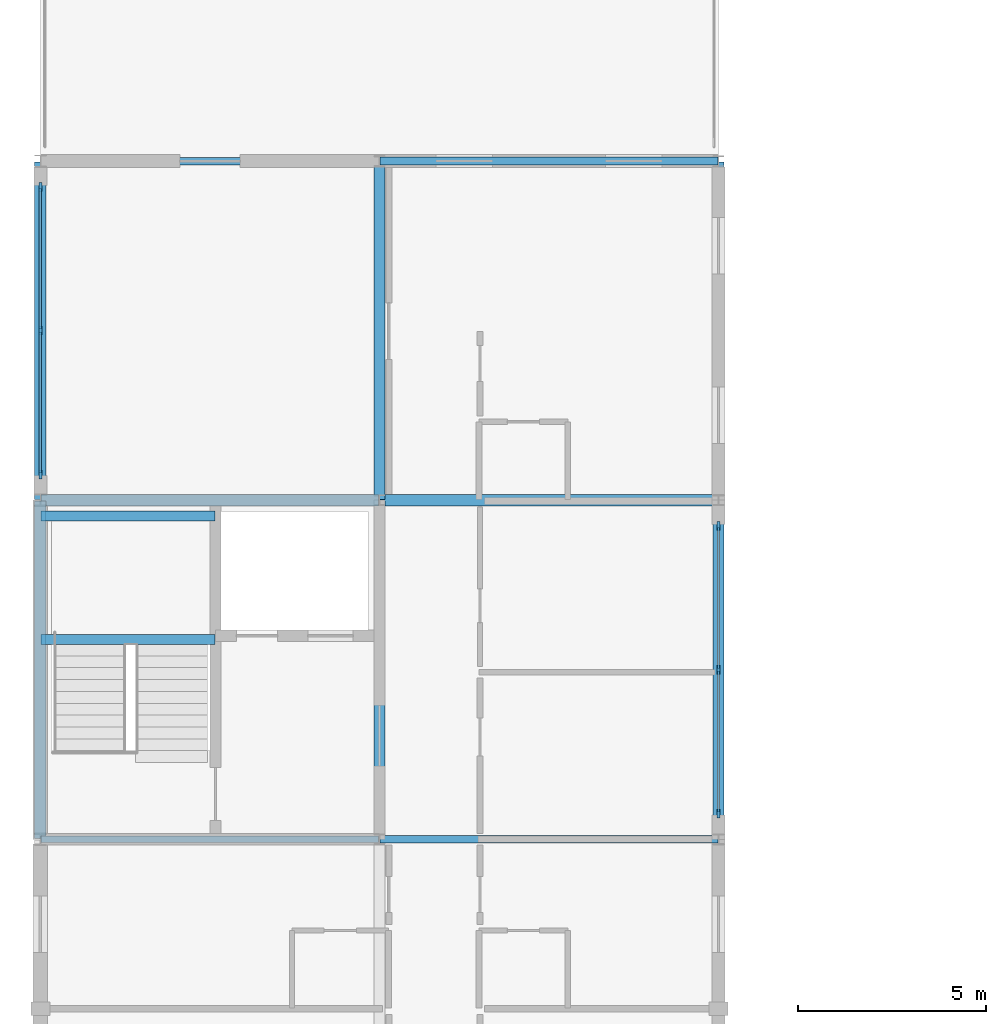
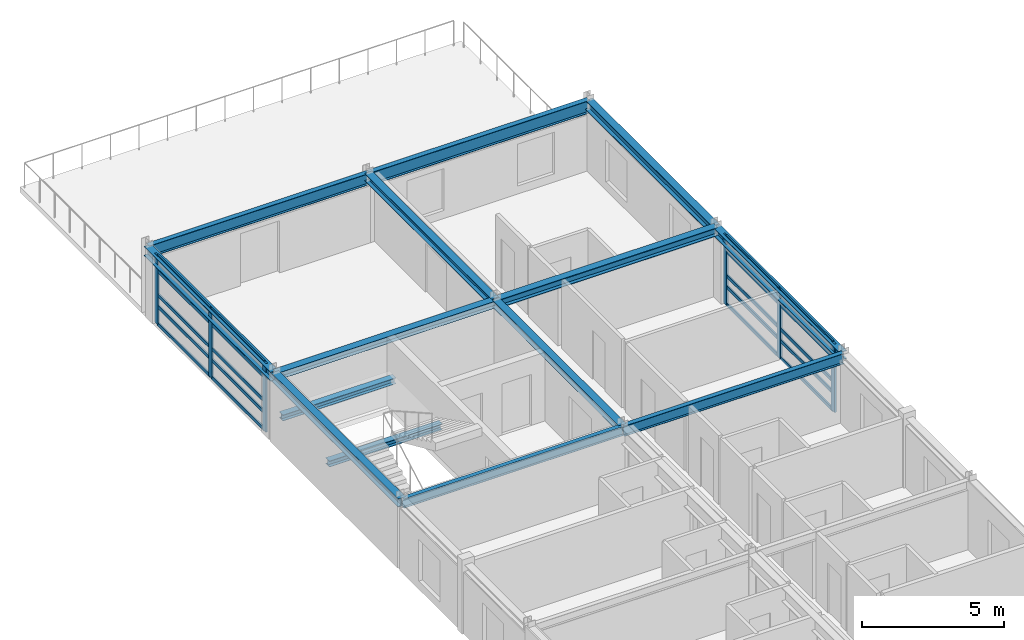
# One storey, part 7 of 18: 26 members, 14 beams, 2 elements without a shape of their own.
"""IFC4 building model written with IfcOpenShell, lengths in metres."""

from ifc_helpers import new_model, si_unit, direction, frame, origin, origin_2d, place, context, subcontext, project, spatial, rectangle, i_section, extrude, material, material_profile, profile_set, type_object, element, aggregate, save


model = new_model("IFC4")

# Units and contexts
model_context = context("Model", 3, precision=1e-05, world=origin(), true_north=direction((0.0, 1.0)))
body_context = subcontext(model_context, "Body", "Model", "MODEL_VIEW")
ifc_project = project(units=[si_unit("LENGTHUNIT", "METRE"), si_unit("AREAUNIT", "SQUARE_METRE"), si_unit("VOLUMEUNIT", "CUBIC_METRE"), si_unit("PLANEANGLEUNIT", "RADIAN"), si_unit("MASSUNIT", "GRAM", prefix="KILO")], contexts=[model_context])

# Site, building, storey
site_placement = place(None, origin())
site = spatial("IfcSite", under=ifc_project, at=site_placement, CompositionType="ELEMENT")
building_placement = place(site_placement, origin())
building = spatial("IfcBuilding", under=site, at=building_placement, Name="Palais des Congres Ocreval", CompositionType="ELEMENT")
storey_placement = place(building_placement, frame((0.0, 0.0, 23.679931640625)))
storey = spatial("IfcBuildingStorey", under=building, at=storey_placement, Name="L07", CompositionType="ELEMENT", Elevation=23.679931640625)

# Beams
ifc_material_1 = material(Name="Steel S355", Category="steel")
ifc_material_profile_1 = material_profile(ifc_material_1, i_section(OverallWidth=0.179931640625, OverallDepth=0.39990234375, WebThickness=0.008544921875, FlangeThickness=0.013427734375, at=origin_2d()), Name="IPE 400")
ifc_profile_set_1 = profile_set([ifc_material_profile_1], Name="Steel S355")
beam_type_1 = type_object("IfcBeamType", Name="Composite Beam IPE 400 Steel S355", PredefinedType="BEAM", material=ifc_profile_set_1)
beam_1_placement = place(storey_placement, frame((0.02001953125, 36.0, 2.760009765625), z_axis=(1.0, 0.0, 0.0), x_axis=(0.0, 1.0, 0.0)))
element("IfcBeam", 1, at=beam_1_placement, inside=storey, type_object=beam_type_1, Name="Beam B02 L07", PredefinedType="BEAM", context=body_context, shape_type="SweptSolid", body=[
    extrude(i_section(OverallWidth=0.179931640625, OverallDepth=0.39990234375, WebThickness=0.008544921875, FlangeThickness=0.013427734375, at=origin_2d()), origin(), (0.0, 0.0, 1.0), 8.9599609375),
])
ifc_material_profile_2 = material_profile(ifc_material_1, i_section(OverallWidth=0.18994140625, OverallDepth=0.449951171875, WebThickness=0.009521484375, FlangeThickness=0.0146484375, at=origin_2d()), Name="IPE 450")
ifc_profile_set_2 = profile_set([ifc_material_profile_2], Name="Steel S355")
beam_type_2 = type_object("IfcBeamType", Name="Composite Beam IPE 450 Steel S355", PredefinedType="BEAM", material=ifc_profile_set_2)
beam_2_placement = place(storey_placement, frame((9.02001953125, 36.0, 2.735107421875), z_axis=(1.0, 0.0, 0.0), x_axis=(0.0, 1.0, 0.0)))
element("IfcBeam", 2, at=beam_2_placement, inside=storey, type_object=beam_type_2, Name="Beam B03 L07", PredefinedType="BEAM", context=body_context, shape_type="SweptSolid", body=[
    extrude(i_section(OverallWidth=0.18994140625, OverallDepth=0.449951171875, WebThickness=0.009521484375, FlangeThickness=0.0146484375, at=origin_2d()), origin(), (0.0, 0.0, 1.0), 8.9599609375),
])
ifc_material_profile_3 = material_profile(ifc_material_1, i_section(OverallWidth=0.199951171875, OverallDepth=0.5, WebThickness=0.01025390625, FlangeThickness=0.01611328125, at=origin_2d()), Name="IPE 500")
ifc_profile_set_3 = profile_set([ifc_material_profile_3], Name="Steel S355")
beam_type_3 = type_object("IfcBeamType", Name="Composite Beam IPE 500 Steel S355", PredefinedType="BEAM", material=ifc_profile_set_3)
beam_3_placement = place(storey_placement, frame((0.02001953125, 54.0, 2.7099609375), z_axis=(1.0, 0.0, 0.0), x_axis=(0.0, 1.0, 0.0)))
element("IfcBeam", 3, at=beam_3_placement, inside=storey, type_object=beam_type_3, Name="Beam B04 L07", PredefinedType="BEAM", context=body_context, shape_type="SweptSolid", body=[
    extrude(i_section(OverallWidth=0.199951171875, OverallDepth=0.5, WebThickness=0.01025390625, FlangeThickness=0.01611328125, at=origin_2d()), origin(), (0.0, 0.0, 1.0), 8.9599609375),
])
ifc_material_profile_4 = material_profile(ifc_material_1, i_section(OverallWidth=0.2099609375, OverallDepth=0.550048828125, WebThickness=0.010986328125, FlangeThickness=0.01708984375, at=origin_2d()), Name="IPE 550")
ifc_profile_set_4 = profile_set([ifc_material_profile_4], Name="Steel S355")
beam_type_4 = type_object("IfcBeamType", Name="Composite Beam IPE 550 Steel S355", PredefinedType="BEAM", material=ifc_profile_set_4)
beam_4_placement = place(storey_placement, frame((9.02001953125, 54.0, 2.68505859375), z_axis=(1.0, 0.0, 0.0), x_axis=(0.0, 1.0, 0.0)))
element("IfcBeam", 4, at=beam_4_placement, inside=storey, type_object=beam_type_4, Name="Beam B05 L07", PredefinedType="BEAM", context=body_context, shape_type="SweptSolid", body=[
    extrude(i_section(OverallWidth=0.2099609375, OverallDepth=0.550048828125, WebThickness=0.010986328125, FlangeThickness=0.01708984375, at=origin_2d()), origin(), (0.0, 0.0, 1.0), 8.9599609375),
])

# Curtain wall, members
ifc_material_2 = material(Name="Anodized bronze aluminium and low-E glass", Category="glass")
curtain_wall_type = type_object("IfcCurtainWallType", Name="Unitised Curtain Wall 7900x2980", PredefinedType="USERDEFINED", material=ifc_material_2)
curtain_wall_1_placement = place(storey_placement, origin())
curtain_wall_1 = element("IfcCurtainWall", 5, at=curtain_wall_1_placement, inside=storey, type_object=curtain_wall_type, Name="Unitised Curtain Wall CW05 L07", ObjectType="UNITISED CURTAIN WALL", PredefinedType="USERDEFINED")
ifc_material_3 = material(Name="Anodized bronze aluminium", Category="aluminium")
ifc_material_profile_5 = material_profile(ifc_material_3, rectangle(XDim=0.074951171875, YDim=0.239990234375, at=origin_2d()), Name="ALU 75x240")
ifc_profile_set_5 = profile_set([ifc_material_profile_5], Name="Anodized bronze aluminium")
member_type_1 = type_object("IfcMemberType", Name="Curtain Wall Mullion ALU 75x240", PredefinedType="MULLION", material=ifc_profile_set_5)
member_1_placement = place(storey_placement, frame((0.0, 45.6875, 0.0), z_axis=(0.0, 0.0, 1.0), x_axis=(-1.0, 0.0, 0.0)))
member_1 = element("IfcMember", 6, at=member_1_placement, type_object=member_type_1, Name="Curtain Wall Mullion ML01", PredefinedType="MULLION", context=body_context, shape_type="SweptSolid", body=[
    extrude(rectangle(XDim=0.074951171875, YDim=0.239990234375, at=origin_2d()), origin(), (0.0, 0.0, 1.0), 2.9599609375),
])
member_2_placement = place(storey_placement, frame((0.0, 49.5, 0.0), z_axis=(0.0, 0.0, 1.0), x_axis=(-1.0, 0.0, 0.0)))
member_2 = element("IfcMember", 7, at=member_2_placement, type_object=member_type_1, Name="Curtain Wall Mullion ML01", PredefinedType="MULLION", context=body_context, shape_type="SweptSolid", body=[
    extrude(rectangle(XDim=0.074951171875, YDim=0.239990234375, at=origin_2d()), origin(), (0.0, 0.0, 1.0), 2.9599609375),
])
member_3_placement = place(storey_placement, frame((0.0, 53.3125, 0.0), z_axis=(0.0, 0.0, 1.0), x_axis=(-1.0, 0.0, 0.0)))
member_3 = element("IfcMember", 8, at=member_3_placement, type_object=member_type_1, Name="Curtain Wall Mullion ML01", PredefinedType="MULLION", context=body_context, shape_type="SweptSolid", body=[
    extrude(rectangle(XDim=0.074951171875, YDim=0.239990234375, at=origin_2d()), origin(), (0.0, 0.0, 1.0), 2.9599609375),
])

curtain_wall_2_placement = place(storey_placement, origin())
curtain_wall_2 = element("IfcCurtainWall", 9, at=curtain_wall_2_placement, inside=storey, type_object=curtain_wall_type, Name="Unitised Curtain Wall CW05 L07", ObjectType="UNITISED CURTAIN WALL", PredefinedType="USERDEFINED")
member_4_placement = place(storey_placement, frame((18.0, 44.3125, 0.0), z_axis=(0.0, 0.0, 1.0), x_axis=(1.0, 0.0, 0.0)))
member_4 = element("IfcMember", 10, at=member_4_placement, type_object=member_type_1, Name="Curtain Wall Mullion ML01", PredefinedType="MULLION", context=body_context, shape_type="SweptSolid", body=[
    extrude(rectangle(XDim=0.074951171875, YDim=0.239990234375, at=origin_2d()), origin(), (0.0, 0.0, 1.0), 2.9599609375),
])
member_5_placement = place(storey_placement, frame((18.0, 40.5, 0.0), z_axis=(0.0, 0.0, 1.0), x_axis=(1.0, 0.0, 0.0)))
member_5 = element("IfcMember", 11, at=member_5_placement, type_object=member_type_1, Name="Curtain Wall Mullion ML01", PredefinedType="MULLION", context=body_context, shape_type="SweptSolid", body=[
    extrude(rectangle(XDim=0.074951171875, YDim=0.239990234375, at=origin_2d()), origin(), (0.0, 0.0, 1.0), 2.9599609375),
])
member_6_placement = place(storey_placement, frame((18.0, 36.6875, 0.0), z_axis=(0.0, 0.0, 1.0), x_axis=(1.0, 0.0, 0.0)))
member_6 = element("IfcMember", 12, at=member_6_placement, type_object=member_type_1, Name="Curtain Wall Mullion ML01", PredefinedType="MULLION", context=body_context, shape_type="SweptSolid", body=[
    extrude(rectangle(XDim=0.074951171875, YDim=0.239990234375, at=origin_2d()), origin(), (0.0, 0.0, 1.0), 2.9599609375),
])

# Member
ifc_material_profile_6 = material_profile(ifc_material_3, rectangle(XDim=0.06005859375, YDim=0.14990234375, at=origin_2d()), Name="ALU 60x150")
ifc_profile_set_6 = profile_set([ifc_material_profile_6], Name="Anodized bronze aluminium")
member_type_2 = type_object("IfcMemberType", Name="Curtain Wall Transom ALU 60x150", PredefinedType="USERDEFINED", material=ifc_profile_set_6)
member_7_placement = place(storey_placement, frame((0.0, 45.72509765625, 0.030029296875), z_axis=(0.0, 1.0, 0.0), x_axis=(-1.0, 0.0, 0.0)))
member_7 = element("IfcMember", 13, at=member_7_placement, type_object=member_type_2, Name="Curtain Wall Transom TR01", ObjectType="TRANSOM", PredefinedType="USERDEFINED", context=body_context, shape_type="SweptSolid", body=[
    extrude(rectangle(XDim=0.06005859375, YDim=0.14990234375, at=origin_2d()), origin(), (0.0, 0.0, 1.0), 3.7373046875),
])

member_8_placement = place(storey_placement, frame((0.0, 45.72509765625, 0.780029296875), z_axis=(0.0, 1.0, 0.0), x_axis=(-1.0, 0.0, 0.0)))
member_8 = element("IfcMember", 14, at=member_8_placement, type_object=member_type_2, Name="Curtain Wall Transom TR01", ObjectType="TRANSOM", PredefinedType="USERDEFINED", context=body_context, shape_type="SweptSolid", body=[
    extrude(rectangle(XDim=0.06005859375, YDim=0.14990234375, at=origin_2d()), origin(), (0.0, 0.0, 1.0), 3.7373046875),
])

member_9_placement = place(storey_placement, frame((0.0, 45.72509765625, 1.2705078125), z_axis=(0.0, 1.0, 0.0), x_axis=(-1.0, 0.0, 0.0)))
member_9 = element("IfcMember", 15, at=member_9_placement, type_object=member_type_2, Name="Curtain Wall Transom TR01", ObjectType="TRANSOM", PredefinedType="USERDEFINED", context=body_context, shape_type="SweptSolid", body=[
    extrude(rectangle(XDim=0.06005859375, YDim=0.14990234375, at=origin_2d()), origin(), (0.0, 0.0, 1.0), 3.7373046875),
])

member_10_placement = place(storey_placement, frame((0.0, 45.72509765625, 2.31005859375), z_axis=(0.0, 1.0, 0.0), x_axis=(-1.0, 0.0, 0.0)))
member_10 = element("IfcMember", 16, at=member_10_placement, type_object=member_type_2, Name="Curtain Wall Transom TR01", ObjectType="TRANSOM", PredefinedType="USERDEFINED", context=body_context, shape_type="SweptSolid", body=[
    extrude(rectangle(XDim=0.06005859375, YDim=0.14990234375, at=origin_2d()), origin(), (0.0, 0.0, 1.0), 3.7373046875),
])

member_11_placement = place(storey_placement, frame((0.0, 45.72509765625, 2.93017578125), z_axis=(0.0, 1.0, 0.0), x_axis=(-1.0, 0.0, 0.0)))
member_11 = element("IfcMember", 17, at=member_11_placement, type_object=member_type_2, Name="Curtain Wall Transom TR01", ObjectType="TRANSOM", PredefinedType="USERDEFINED", context=body_context, shape_type="SweptSolid", body=[
    extrude(rectangle(XDim=0.06005859375, YDim=0.14990234375, at=origin_2d()), origin(), (0.0, 0.0, 1.0), 3.7373046875),
])

member_12_placement = place(storey_placement, frame((0.0, 49.53759765625, 0.030029296875), z_axis=(0.0, 1.0, 0.0), x_axis=(-1.0, 0.0, 0.0)))
member_12 = element("IfcMember", 18, at=member_12_placement, type_object=member_type_2, Name="Curtain Wall Transom TR01", ObjectType="TRANSOM", PredefinedType="USERDEFINED", context=body_context, shape_type="SweptSolid", body=[
    extrude(rectangle(XDim=0.06005859375, YDim=0.14990234375, at=origin_2d()), origin(), (0.0, 0.0, 1.0), 3.7373046875),
])

member_13_placement = place(storey_placement, frame((0.0, 49.53759765625, 0.780029296875), z_axis=(0.0, 1.0, 0.0), x_axis=(-1.0, 0.0, 0.0)))
member_13 = element("IfcMember", 19, at=member_13_placement, type_object=member_type_2, Name="Curtain Wall Transom TR01", ObjectType="TRANSOM", PredefinedType="USERDEFINED", context=body_context, shape_type="SweptSolid", body=[
    extrude(rectangle(XDim=0.06005859375, YDim=0.14990234375, at=origin_2d()), origin(), (0.0, 0.0, 1.0), 3.7373046875),
])

member_14_placement = place(storey_placement, frame((0.0, 49.53759765625, 1.2705078125), z_axis=(0.0, 1.0, 0.0), x_axis=(-1.0, 0.0, 0.0)))
member_14 = element("IfcMember", 20, at=member_14_placement, type_object=member_type_2, Name="Curtain Wall Transom TR01", ObjectType="TRANSOM", PredefinedType="USERDEFINED", context=body_context, shape_type="SweptSolid", body=[
    extrude(rectangle(XDim=0.06005859375, YDim=0.14990234375, at=origin_2d()), origin(), (0.0, 0.0, 1.0), 3.7373046875),
])

member_15_placement = place(storey_placement, frame((0.0, 49.53759765625, 2.31005859375), z_axis=(0.0, 1.0, 0.0), x_axis=(-1.0, 0.0, 0.0)))
member_15 = element("IfcMember", 21, at=member_15_placement, type_object=member_type_2, Name="Curtain Wall Transom TR01", ObjectType="TRANSOM", PredefinedType="USERDEFINED", context=body_context, shape_type="SweptSolid", body=[
    extrude(rectangle(XDim=0.06005859375, YDim=0.14990234375, at=origin_2d()), origin(), (0.0, 0.0, 1.0), 3.7373046875),
])

member_16_placement = place(storey_placement, frame((0.0, 49.53759765625, 2.93017578125), z_axis=(0.0, 1.0, 0.0), x_axis=(-1.0, 0.0, 0.0)))
member_16 = element("IfcMember", 22, at=member_16_placement, type_object=member_type_2, Name="Curtain Wall Transom TR01", ObjectType="TRANSOM", PredefinedType="USERDEFINED", context=body_context, shape_type="SweptSolid", body=[
    extrude(rectangle(XDim=0.06005859375, YDim=0.14990234375, at=origin_2d()), origin(), (0.0, 0.0, 1.0), 3.7373046875),
])

aggregate(curtain_wall_1, [member_1, member_2, member_3, member_7, member_8, member_9, member_10, member_11, member_12, member_13, member_14, member_15, member_16])

member_17_placement = place(storey_placement, frame((18.0, 44.27490234375, 0.030029296875), z_axis=(0.0, -1.0, 0.0), x_axis=(1.0, 0.0, 0.0)))
member_17 = element("IfcMember", 23, at=member_17_placement, type_object=member_type_2, Name="Curtain Wall Transom TR01", ObjectType="TRANSOM", PredefinedType="USERDEFINED", context=body_context, shape_type="SweptSolid", body=[
    extrude(rectangle(XDim=0.06005859375, YDim=0.14990234375, at=origin_2d()), origin(), (0.0, 0.0, 1.0), 3.7373046875),
])

member_18_placement = place(storey_placement, frame((18.0, 44.27490234375, 0.780029296875), z_axis=(0.0, -1.0, 0.0), x_axis=(1.0, 0.0, 0.0)))
member_18 = element("IfcMember", 24, at=member_18_placement, type_object=member_type_2, Name="Curtain Wall Transom TR01", ObjectType="TRANSOM", PredefinedType="USERDEFINED", context=body_context, shape_type="SweptSolid", body=[
    extrude(rectangle(XDim=0.06005859375, YDim=0.14990234375, at=origin_2d()), origin(), (0.0, 0.0, 1.0), 3.7373046875),
])

member_19_placement = place(storey_placement, frame((18.0, 44.27490234375, 1.2705078125), z_axis=(0.0, -1.0, 0.0), x_axis=(1.0, 0.0, 0.0)))
member_19 = element("IfcMember", 25, at=member_19_placement, type_object=member_type_2, Name="Curtain Wall Transom TR01", ObjectType="TRANSOM", PredefinedType="USERDEFINED", context=body_context, shape_type="SweptSolid", body=[
    extrude(rectangle(XDim=0.06005859375, YDim=0.14990234375, at=origin_2d()), origin(), (0.0, 0.0, 1.0), 3.7373046875),
])

member_20_placement = place(storey_placement, frame((18.0, 44.27490234375, 2.31005859375), z_axis=(0.0, -1.0, 0.0), x_axis=(1.0, 0.0, 0.0)))
member_20 = element("IfcMember", 26, at=member_20_placement, type_object=member_type_2, Name="Curtain Wall Transom TR01", ObjectType="TRANSOM", PredefinedType="USERDEFINED", context=body_context, shape_type="SweptSolid", body=[
    extrude(rectangle(XDim=0.06005859375, YDim=0.14990234375, at=origin_2d()), origin(), (0.0, 0.0, 1.0), 3.7373046875),
])

member_21_placement = place(storey_placement, frame((18.0, 44.27490234375, 2.93017578125), z_axis=(0.0, -1.0, 0.0), x_axis=(1.0, 0.0, 0.0)))
member_21 = element("IfcMember", 27, at=member_21_placement, type_object=member_type_2, Name="Curtain Wall Transom TR01", ObjectType="TRANSOM", PredefinedType="USERDEFINED", context=body_context, shape_type="SweptSolid", body=[
    extrude(rectangle(XDim=0.06005859375, YDim=0.14990234375, at=origin_2d()), origin(), (0.0, 0.0, 1.0), 3.7373046875),
])

member_22_placement = place(storey_placement, frame((18.0, 40.46240234375, 0.030029296875), z_axis=(0.0, -1.0, 0.0), x_axis=(1.0, 0.0, 0.0)))
member_22 = element("IfcMember", 28, at=member_22_placement, type_object=member_type_2, Name="Curtain Wall Transom TR01", ObjectType="TRANSOM", PredefinedType="USERDEFINED", context=body_context, shape_type="SweptSolid", body=[
    extrude(rectangle(XDim=0.06005859375, YDim=0.14990234375, at=origin_2d()), origin(), (0.0, 0.0, 1.0), 3.7373046875),
])

member_23_placement = place(storey_placement, frame((18.0, 40.46240234375, 0.780029296875), z_axis=(0.0, -1.0, 0.0), x_axis=(1.0, 0.0, 0.0)))
member_23 = element("IfcMember", 29, at=member_23_placement, type_object=member_type_2, Name="Curtain Wall Transom TR01", ObjectType="TRANSOM", PredefinedType="USERDEFINED", context=body_context, shape_type="SweptSolid", body=[
    extrude(rectangle(XDim=0.06005859375, YDim=0.14990234375, at=origin_2d()), origin(), (0.0, 0.0, 1.0), 3.7373046875),
])

member_24_placement = place(storey_placement, frame((18.0, 40.46240234375, 1.2705078125), z_axis=(0.0, -1.0, 0.0), x_axis=(1.0, 0.0, 0.0)))
member_24 = element("IfcMember", 30, at=member_24_placement, type_object=member_type_2, Name="Curtain Wall Transom TR01", ObjectType="TRANSOM", PredefinedType="USERDEFINED", context=body_context, shape_type="SweptSolid", body=[
    extrude(rectangle(XDim=0.06005859375, YDim=0.14990234375, at=origin_2d()), origin(), (0.0, 0.0, 1.0), 3.7373046875),
])

member_25_placement = place(storey_placement, frame((18.0, 40.46240234375, 2.31005859375), z_axis=(0.0, -1.0, 0.0), x_axis=(1.0, 0.0, 0.0)))
member_25 = element("IfcMember", 31, at=member_25_placement, type_object=member_type_2, Name="Curtain Wall Transom TR01", ObjectType="TRANSOM", PredefinedType="USERDEFINED", context=body_context, shape_type="SweptSolid", body=[
    extrude(rectangle(XDim=0.06005859375, YDim=0.14990234375, at=origin_2d()), origin(), (0.0, 0.0, 1.0), 3.7373046875),
])

member_26_placement = place(storey_placement, frame((18.0, 40.46240234375, 2.93017578125), z_axis=(0.0, -1.0, 0.0), x_axis=(1.0, 0.0, 0.0)))
member_26 = element("IfcMember", 32, at=member_26_placement, type_object=member_type_2, Name="Curtain Wall Transom TR01", ObjectType="TRANSOM", PredefinedType="USERDEFINED", context=body_context, shape_type="SweptSolid", body=[
    extrude(rectangle(XDim=0.06005859375, YDim=0.14990234375, at=origin_2d()), origin(), (0.0, 0.0, 1.0), 3.7373046875),
])

aggregate(curtain_wall_2, [member_4, member_5, member_6, member_17, member_18, member_19, member_20, member_21, member_22, member_23, member_24, member_25, member_26])

# Beams
ifc_material_profile_7 = material_profile(ifc_material_1, i_section(OverallWidth=0.260009765625, OverallDepth=0.260009765625, WebThickness=0.010009765625, FlangeThickness=0.017578125, at=origin_2d()), Name="HEB 260")
ifc_profile_set_7 = profile_set([ifc_material_profile_7], Name="Steel S355")
beam_type_5 = type_object("IfcBeamType", Name="Opening Lintel HEB 260 Steel S355", PredefinedType="LINTEL", material=ifc_profile_set_7)
for number, where, z_axis, x_axis, name in (
    (33, (0.02001953125, 41.304931640625, 1.27001953125), (1.0, 0.0, 0.0), (0.0, 1.0, 0.0), "Stair Landing Support Beam ST03 L07-1"),
    (34, (0.02001953125, 44.580078125, 1.27001953125), (1.0, 0.0, 0.0), (0.0, 1.0, 0.0), "Stair Landing Support Beam ST03 L07-2"),
):
    element("IfcBeam", number, at=place(storey_placement, frame(where, z_axis=z_axis, x_axis=x_axis)), inside=storey, type_object=beam_type_5, Name=name, PredefinedType="LINTEL", context=body_context, shape_type="SweptSolid", body=[
        extrude(i_section(OverallWidth=0.260009765625, OverallDepth=0.260009765625, WebThickness=0.010009765625, FlangeThickness=0.017578125, at=origin_2d()), origin(), (0.0, 0.0, 1.0), 4.60986328125),
    ])
ifc_material_profile_8 = material_profile(ifc_material_1, i_section(OverallWidth=0.300048828125, OverallDepth=0.300048828125, WebThickness=0.010986328125, FlangeThickness=0.01904296875, at=origin_2d()), Name="HEB 300")
ifc_profile_set_8 = profile_set([ifc_material_profile_8], Name="Steel S355")
beam_type_6 = type_object("IfcBeamType", Name="Perimeter Spandrel HEB 300 Steel S355", PredefinedType="SPANDREL", material=ifc_profile_set_8)
beam_5_placement = place(storey_placement, frame((0.02001953125, 45.0, 2.81005859375), z_axis=(1.0, 0.0, 0.0), x_axis=(0.0, 1.0, 0.0)))
element("IfcBeam", 35, at=beam_5_placement, inside=storey, type_object=beam_type_6, Name="Beam SP02 L07", PredefinedType="SPANDREL", context=body_context, shape_type="SweptSolid", body=[
    extrude(i_section(OverallWidth=0.300048828125, OverallDepth=0.300048828125, WebThickness=0.010986328125, FlangeThickness=0.01904296875, at=origin_2d()), origin(), (0.0, 0.0, 1.0), 8.9599609375),
])
ifc_material_profile_9 = material_profile(ifc_material_1, i_section(OverallWidth=0.300048828125, OverallDepth=0.360107421875, WebThickness=0.012451171875, FlangeThickness=0.0224609375, at=origin_2d()), Name="HEB 360")
ifc_profile_set_9 = profile_set([ifc_material_profile_9], Name="Steel S355")
beam_type_7 = type_object("IfcBeamType", Name="Perimeter Spandrel HEB 360 Steel S355", PredefinedType="SPANDREL", material=ifc_profile_set_9)
for number, where, z_axis, x_axis, name in (
    (36, (0.0, 36.02001953125, 2.780029296875), (0.0, 1.0, 0.0), (-1.0, 0.0, 0.0), "Girder SP03 L07"),
    (37, (9.02001953125, 45.0, 2.780029296875), (1.0, 0.0, 0.0), (0.0, 1.0, 0.0), "Beam SP03 L07"),
    (38, (18.0, 36.02001953125, 2.780029296875), (0.0, 1.0, 0.0), (-1.0, 0.0, 0.0), "Girder SP03 L07"),
):
    element("IfcBeam", number, at=place(storey_placement, frame(where, z_axis=z_axis, x_axis=x_axis)), inside=storey, type_object=beam_type_7, Name=name, PredefinedType="SPANDREL", context=body_context, shape_type="SweptSolid", body=[
        extrude(i_section(OverallWidth=0.300048828125, OverallDepth=0.360107421875, WebThickness=0.012451171875, FlangeThickness=0.0224609375, at=origin_2d()), origin(), (0.0, 0.0, 1.0), 8.9599609375),
    ])
ifc_material_profile_10 = material_profile(ifc_material_1, i_section(OverallWidth=0.300048828125, OverallDepth=0.39990234375, WebThickness=0.013427734375, FlangeThickness=0.02392578125, at=origin_2d()), Name="HEB 400")
ifc_profile_set_10 = profile_set([ifc_material_profile_10], Name="Steel S355")
beam_type_8 = type_object("IfcBeamType", Name="Perimeter Spandrel HEB 400 Steel S355", PredefinedType="SPANDREL", material=ifc_profile_set_10)
for number, where, z_axis, x_axis, name in (
    (39, (0.0, 45.02001953125, 2.760009765625), (0.0, 1.0, 0.0), (-1.0, 0.0, 0.0), "Girder SP04 L07"),
    (40, (18.0, 45.02001953125, 2.760009765625), (0.0, 1.0, 0.0), (-1.0, 0.0, 0.0), "Girder SP04 L07"),
):
    element("IfcBeam", number, at=place(storey_placement, frame(where, z_axis=z_axis, x_axis=x_axis)), inside=storey, type_object=beam_type_8, Name=name, PredefinedType="SPANDREL", context=body_context, shape_type="SweptSolid", body=[
        extrude(i_section(OverallWidth=0.300048828125, OverallDepth=0.39990234375, WebThickness=0.013427734375, FlangeThickness=0.02392578125, at=origin_2d()), origin(), (0.0, 0.0, 1.0), 8.9599609375),
    ])
ifc_material_profile_11 = material_profile(ifc_material_1, i_section(OverallWidth=0.300048828125, OverallDepth=0.2900390625, WebThickness=0.008544921875, FlangeThickness=0.013916015625, at=origin_2d()), Name="HEA 300")
ifc_profile_set_11 = profile_set([ifc_material_profile_11], Name="Steel S355")
beam_type_9 = type_object("IfcBeamType", Name="Primary Beam HEA 300 Steel S355", PredefinedType="BEAM", material=ifc_profile_set_11)
beam_6_placement = place(storey_placement, frame((9.0, 36.02001953125, 2.815185546875), z_axis=(0.0, 1.0, 0.0), x_axis=(-1.0, 0.0, 0.0)))
element("IfcBeam", 41, at=beam_6_placement, inside=storey, type_object=beam_type_9, Name="Girder B08 L07", PredefinedType="BEAM", context=body_context, shape_type="SweptSolid", body=[
    extrude(i_section(OverallWidth=0.300048828125, OverallDepth=0.2900390625, WebThickness=0.008544921875, FlangeThickness=0.013916015625, at=origin_2d()), origin(), (0.0, 0.0, 1.0), 8.9599609375),
])
ifc_material_profile_12 = material_profile(ifc_material_1, i_section(OverallWidth=0.300048828125, OverallDepth=0.330078125, WebThickness=0.009521484375, FlangeThickness=0.0166015625, at=origin_2d()), Name="HEA 340")
ifc_profile_set_12 = profile_set([ifc_material_profile_12], Name="Steel S355")
beam_type_10 = type_object("IfcBeamType", Name="Primary Beam HEA 340 Steel S355", PredefinedType="BEAM", material=ifc_profile_set_12)
beam_7_placement = place(storey_placement, frame((9.0, 45.02001953125, 2.795166015625), z_axis=(0.0, 1.0, 0.0), x_axis=(-1.0, 0.0, 0.0)))
element("IfcBeam", 42, at=beam_7_placement, inside=storey, type_object=beam_type_10, Name="Girder B09 L07", PredefinedType="BEAM", context=body_context, shape_type="SweptSolid", body=[
    extrude(i_section(OverallWidth=0.300048828125, OverallDepth=0.330078125, WebThickness=0.009521484375, FlangeThickness=0.0166015625, at=origin_2d()), origin(), (0.0, 0.0, 1.0), 8.9599609375),
])

save(model, "model.ifc")
